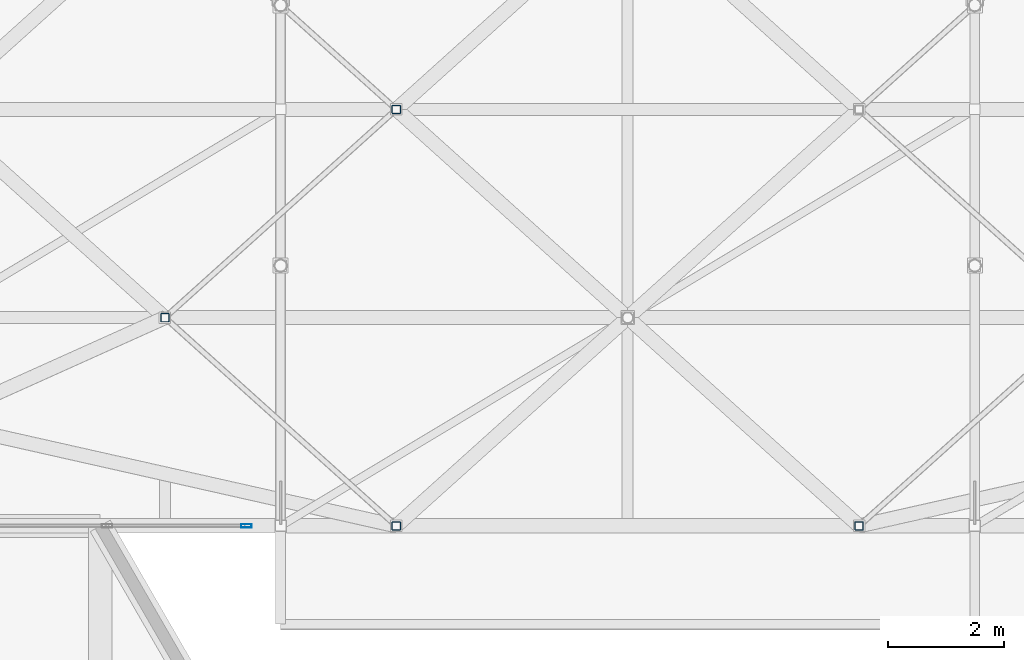
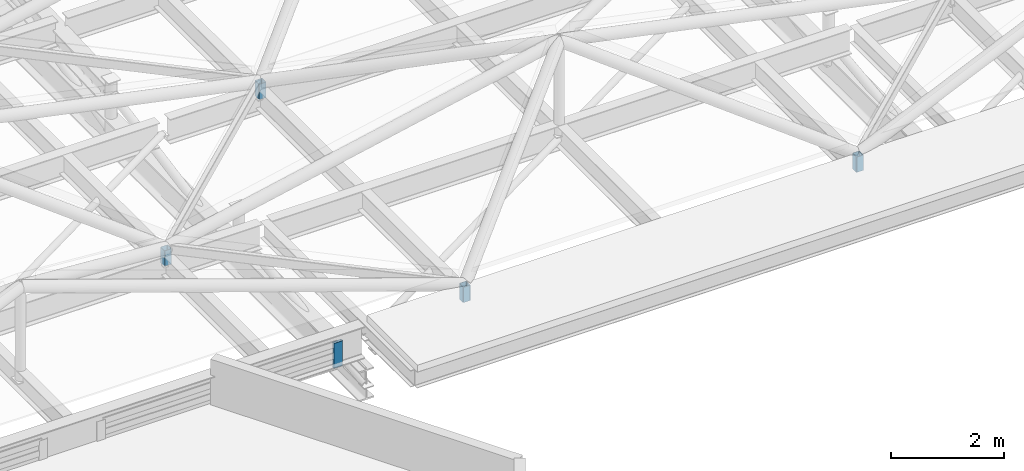
# One storey, part 191 of 239: 5 members, 1 element without a shape of its own.
"""IFC4 building model written with IfcOpenShell, lengths in metres."""

from ifc_helpers import new_model, si_unit, direction, frame, origin, origin_2d, place, context, subcontext, project, spatial, hollow_rectangle, extrude, material, layer, layer_set, material_profile, profile_set, type_object, element, aggregate, save


model = new_model("IFC4")

# Units and contexts
model_context = context("Model", 3, precision=1e-05, world=origin(), true_north=direction((0.0, 1.0)))
body_context = subcontext(model_context, "Body", "Model", "MODEL_VIEW")
ifc_project = project(units=[si_unit("LENGTHUNIT", "METRE"), si_unit("AREAUNIT", "SQUARE_METRE"), si_unit("VOLUMEUNIT", "CUBIC_METRE"), si_unit("PLANEANGLEUNIT", "RADIAN"), si_unit("MASSUNIT", "GRAM", prefix="KILO")], contexts=[model_context])

# Site, building, storey
site_placement = place(None, origin())
site = spatial("IfcSite", under=ifc_project, at=site_placement, CompositionType="ELEMENT")
building_placement = place(site_placement, origin())
building = spatial("IfcBuilding", under=site, at=building_placement, Name="Dunvalen Ferry Terminal", CompositionType="ELEMENT")
storey_placement = place(building_placement, frame((0.0, 0.0, 9.840087890625)))
storey = spatial("IfcBuildingStorey", under=building, at=storey_placement, Name="L02", CompositionType="ELEMENT", Elevation=9.840087890625)

# Curtain wall, member
ifc_material_1 = material(Name="Anodised marine aluminium and solar-control glazing", Category="aluminium")
ifc_layer = layer(ifc_material_1, 0.219970703125, Name="Anodised marine aluminium and solar-control glazing")
ifc_layer_set = layer_set([ifc_layer], Name="Anodised marine aluminium and solar-control glazing")
curtain_wall_type = type_object("IfcCurtainWallType", Name="ENV-CW-SYS-02", PredefinedType="NOTDEFINED", material=ifc_layer_set)
curtain_wall_placement = place(storey_placement, origin())
curtain_wall = element("IfcCurtainWall", 1, at=curtain_wall_placement, inside=storey, type_object=curtain_wall_type, Name="L02 Curtain Wall CW-V1SW-CLR-04", PredefinedType="NOTDEFINED")
ifc_material_2 = material(Name="Anodised marine aluminium EN AW-6063 T6", Category="aluminium")
ifc_material_profile_1 = material_profile(ifc_material_2, hollow_rectangle(XDim=0.06005859375, YDim=0.179931640625, WallThickness=0.00341796875, InnerFilletRadius=0.00341796875, OuterFilletRadius=0.007080078125, at=origin_2d()), Name="Anodised marine aluminium EN AW-6063 T6")
ifc_profile_set_1 = profile_set([ifc_material_profile_1], Name="Anodised marine aluminium EN AW-6063 T6")
member_type_1 = type_object("IfcMemberType", Name="ENV-CW-MUL-2", PredefinedType="MULLION", material=ifc_profile_set_1)
member_placement = place(storey_placement, frame((35.409912109375, 50.39990234375, 0.239990234375), z_axis=(0.0, 0.0, 1.0), x_axis=(0.0, 1.0, 0.0)))
member = element("IfcMember", 2, at=member_placement, type_object=member_type_1, Name="CW-02 mullion 3", PredefinedType="MULLION", context=body_context, shape_type="SweptSolid", body=[
    extrude(hollow_rectangle(XDim=0.06005859375, YDim=0.179931640625, WallThickness=0.00341796875, InnerFilletRadius=0.00341796875, OuterFilletRadius=0.007080078125, at=origin_2d()), origin(), (0.0, 0.0, 1.0), 0.5400390625),
])
aggregate(curtain_wall, [member])

# Members
ifc_material_3 = material(Name="Steel S355", Category="steel")
ifc_material_profile_2 = material_profile(ifc_material_3, hollow_rectangle(XDim=0.14990234375, YDim=0.14990234375, WallThickness=0.008056640625, InnerFilletRadius=0.008056640625, OuterFilletRadius=0.01611328125, at=origin_2d()), Name="Steel S355")
ifc_profile_set_2 = profile_set([ifc_material_profile_2], Name="Steel S355")
member_type_2 = type_object("IfcMemberType", Name="STR-MB-SHS150", PredefinedType="BRACE", material=ifc_profile_set_2)
for number, where, z_axis, x_axis, name in (
    (3, (38.0, 50.39990234375, 0.77001953125), (0.0, 0.0, 1.0), (1.0, 0.0, 0.0), "HEX-12 Rim Pedestal Strut 2"),
    (4, (34.0, 54.0, 0.77001953125), (0.0, 0.0, 1.0), (1.0, 0.0, 0.0), "HEX-12 Rim Pedestal Strut 3"),
    (5, (38.0, 57.60009765625, 0.77001953125), (0.0, 0.0, 1.0), (1.0, 0.0, 0.0), "HEX-13 Rim Pedestal Strut 4"),
    (6, (46.0, 50.39990234375, 0.77001953125), (0.0, 0.0, 1.0), (1.0, 0.0, 0.0), "HEX-18 Rim Pedestal Strut 3"),
):
    element("IfcMember", number, at=place(storey_placement, frame(where, z_axis=z_axis, x_axis=x_axis)), inside=storey, type_object=member_type_2, Name=name, PredefinedType="BRACE", context=body_context, shape_type="SweptSolid", body=[
        extrude(hollow_rectangle(XDim=0.14990234375, YDim=0.14990234375, WallThickness=0.008056640625, InnerFilletRadius=0.008056640625, OuterFilletRadius=0.01611328125, at=origin_2d()), origin(), (0.0, 0.0, 1.0), 0.329833984375),
    ])

save(model, "model.ifc")
